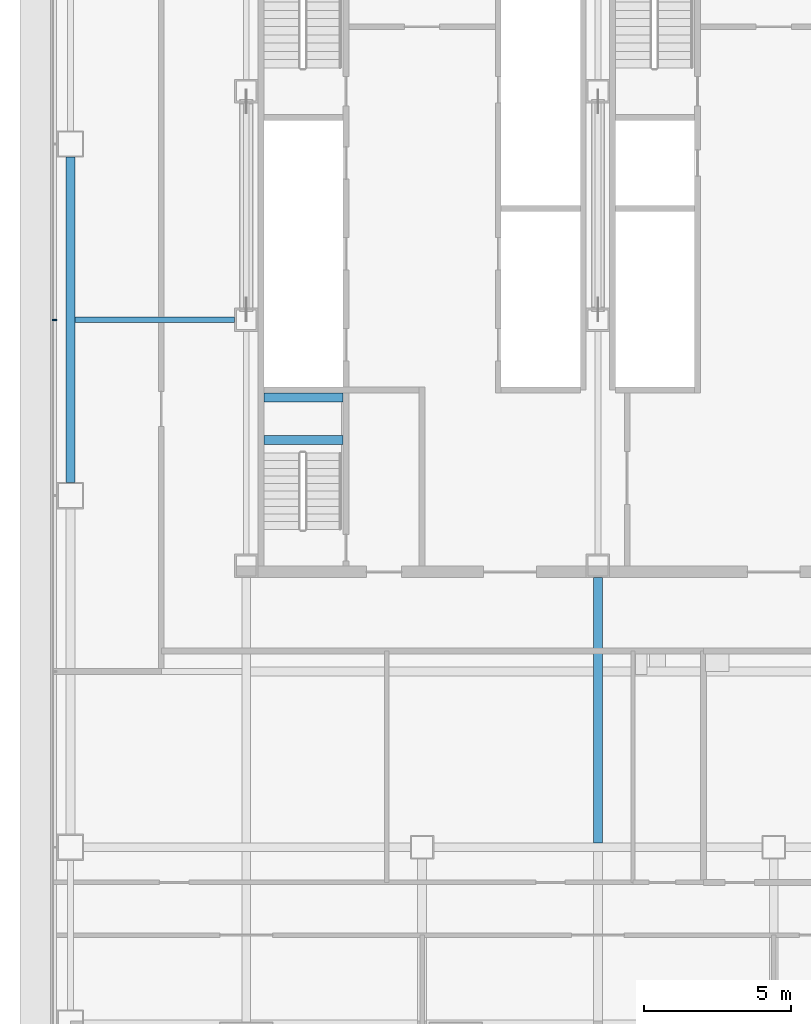
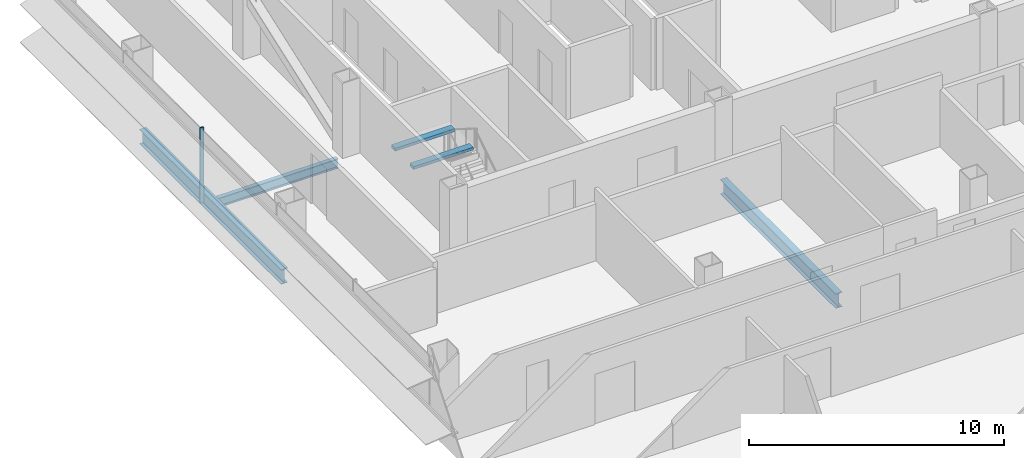
# One storey, part 6 of 26: 5 beams, 1 member, 1 element without a shape of its own.
"""IFC4 building model written with IfcOpenShell, lengths in metres."""

from ifc_helpers import new_model, si_unit, direction, frame, origin, origin_2d, place, context, subcontext, project, spatial, rectangle, i_section, extrude, material, material_profile, profile_set, type_object, element, aggregate, save


model = new_model("IFC4")

# Units and contexts
model_context = context("Model", 3, precision=1e-05, world=origin(), true_north=direction((0.0, 1.0)))
body_context = subcontext(model_context, "Body", "Model", "MODEL_VIEW")
ifc_project = project(units=[si_unit("LENGTHUNIT", "METRE"), si_unit("AREAUNIT", "SQUARE_METRE"), si_unit("VOLUMEUNIT", "CUBIC_METRE"), si_unit("PLANEANGLEUNIT", "RADIAN"), si_unit("MASSUNIT", "GRAM", prefix="KILO")], contexts=[model_context])

# Site, building, storey
site_placement = place(None, origin())
site = spatial("IfcSite", under=ifc_project, at=site_placement, CompositionType="ELEMENT")
building_placement = place(site_placement, origin())
building = spatial("IfcBuilding", under=site, at=building_placement, Name="Sorahane Residences", CompositionType="ELEMENT")
storey_placement = place(building_placement, frame((0.0, 0.0, 71.39990234375)))
storey = spatial("IfcBuildingStorey", under=building, at=storey_placement, Name="L14", CompositionType="ELEMENT", Elevation=71.39990234375)

# Curtain wall, member
ifc_material_1 = material(Name="Dark low-e glass and black anodised aluminium", Category="aluminium")
curtain_wall_type = type_object("IfcCurtainWallType", Name="Curtain wall CW-1 Typical unitised wall", PredefinedType="NOTDEFINED", material=ifc_material_1)
curtain_wall_placement = place(storey_placement, origin())
curtain_wall = element("IfcCurtainWall", 1, at=curtain_wall_placement, inside=storey, type_object=curtain_wall_type, Name="CW-1 curtain wall L14 W1", PredefinedType="NOTDEFINED")
ifc_material_2 = material(Name="Black anodised aluminium", Category="aluminium")
ifc_material_profile_1 = material_profile(ifc_material_2, rectangle(XDim=0.159912109375, YDim=0.050048828125, at=origin_2d()), Name="Curtain wall mullion CW-1 black anodised aluminium 50x160")
ifc_profile_set_1 = profile_set([ifc_material_profile_1], Name="Black anodised aluminium")
member_type = type_object("IfcMemberType", Name="Curtain wall mullion CW-1 black anodised aluminium 50x160", PredefinedType="MULLION", material=ifc_profile_set_1)
member_placement = place(storey_placement, frame((-0.5400390625, 30.0, -0.179931640625), z_axis=(0.0, 0.0, 1.0), x_axis=(-1.0, 0.0, 0.0)))
member = element("IfcMember", 2, at=member_placement, type_object=member_type, Name="CW-1 mullion L14 W1.3", PredefinedType="MULLION", context=body_context, shape_type="SweptSolid", body=[
    extrude(rectangle(XDim=0.159912109375, YDim=0.050048828125, at=origin_2d()), origin(), (0.0, 0.0, 1.0), 3.60009765625),
])
aggregate(curtain_wall, [member])

# Beams
ifc_material_3 = material(Name="Concrete C40", Category="concrete")
ifc_material_profile_2 = material_profile(ifc_material_3, rectangle(XDim=0.300048828125, YDim=0.139892578125, at=origin_2d()), Name="300x140")
ifc_profile_set_2 = profile_set([ifc_material_profile_2], Name="Concrete C40")
beam_type_1 = type_object("IfcBeamType", Name="RC landing beam 300 x 140 Concrete C40", PredefinedType="BEAM", material=ifc_profile_set_2)
for number, where, z_axis, x_axis, name in (
    (3, (6.60009765625, 25.89990234375, 1.530029296875), (1.0, 0.0, 0.0), (0.0, 1.0, 0.0), "Landing beam"),
    (4, (6.60009765625, 27.35009765625, 1.530029296875), (1.0, 0.0, 0.0), (0.0, 1.0, 0.0), "Landing beam"),
):
    element("IfcBeam", number, at=place(storey_placement, frame(where, z_axis=z_axis, x_axis=x_axis)), inside=storey, type_object=beam_type_1, Name=name, PredefinedType="BEAM", context=body_context, shape_type="SweptSolid", body=[
        extrude(rectangle(XDim=0.300048828125, YDim=0.139892578125, at=origin_2d()), origin(), (0.0, 0.0, 1.0), 2.699951171875),
    ])
ifc_material_4 = material(Name="Steel Q355B", Category="steel")
ifc_material_profile_3 = material_profile(ifc_material_4, i_section(OverallWidth=0.199951171875, OverallDepth=0.449951171875, WebThickness=0.009033203125, FlangeThickness=0.013916015625, FilletRadius=0.02001953125, at=origin_2d()), Name="HN 450x200x9x14")
ifc_profile_set_3 = profile_set([ifc_material_profile_3], Name="Steel Q355B")
beam_type_2 = type_object("IfcBeamType", Name="Steel floor beam HN 450x200x9x14 Q355B", PredefinedType="BEAM", material=ifc_profile_set_3)
beam_1_placement = place(storey_placement, frame((0.14990234375, 30.0, -0.40478515625), z_axis=(1.0, 0.0, 0.0), x_axis=(0.0, 1.0, 0.0)))
element("IfcBeam", 5, at=beam_1_placement, inside=storey, type_object=beam_type_2, Name="Beam L14 076", PredefinedType="BEAM", context=body_context, shape_type="SweptSolid", body=[
    extrude(i_section(OverallWidth=0.199951171875, OverallDepth=0.449951171875, WebThickness=0.009033203125, FlangeThickness=0.013916015625, FilletRadius=0.02001953125, at=origin_2d()), origin(), (0.0, 0.0, 1.0), 5.4501953125),
])
ifc_material_5 = material(Name="Steel Q355B", Category="steel")
ifc_material_profile_4 = material_profile(ifc_material_5, i_section(OverallWidth=0.300048828125, OverallDepth=0.699951171875, WebThickness=0.012939453125, FlangeThickness=0.02392578125, FilletRadius=0.028076171875, at=origin_2d()), Name="HN 700x300x13x24")
ifc_profile_set_4 = profile_set([ifc_material_profile_4], Name="Steel Q355B")
beam_type_3 = type_object("IfcBeamType", Name="Steel floor beam HN 700x300x13x24 Q355B", PredefinedType="BEAM", material=ifc_profile_set_4)
beam_2_placement = place(storey_placement, frame((0.0, 24.449951171875, -0.52978515625), z_axis=(0.0, 1.0, 0.0), x_axis=(-1.0, 0.0, 0.0)))
element("IfcBeam", 6, at=beam_2_placement, inside=storey, type_object=beam_type_3, Name="Beam L14 019", PredefinedType="BEAM", context=body_context, shape_type="SweptSolid", body=[
    extrude(i_section(OverallWidth=0.300048828125, OverallDepth=0.699951171875, WebThickness=0.012939453125, FlangeThickness=0.02392578125, FilletRadius=0.028076171875, at=origin_2d()), origin(), (0.0, 0.0, 1.0), 11.10009765625),
])
beam_3_placement = place(storey_placement, frame((18.0, 12.14990234375, -0.52978515625), z_axis=(0.0, 1.0, 0.0), x_axis=(-1.0, 0.0, 0.0)))
element("IfcBeam", 7, at=beam_3_placement, inside=storey, type_object=beam_type_3, Name="Beam L14 030", PredefinedType="BEAM", context=body_context, shape_type="SweptSolid", body=[
    extrude(i_section(OverallWidth=0.300048828125, OverallDepth=0.699951171875, WebThickness=0.012939453125, FlangeThickness=0.02392578125, FilletRadius=0.028076171875, at=origin_2d()), origin(), (0.0, 0.0, 1.0), 9.050048828125),
])

save(model, "model.ifc")
